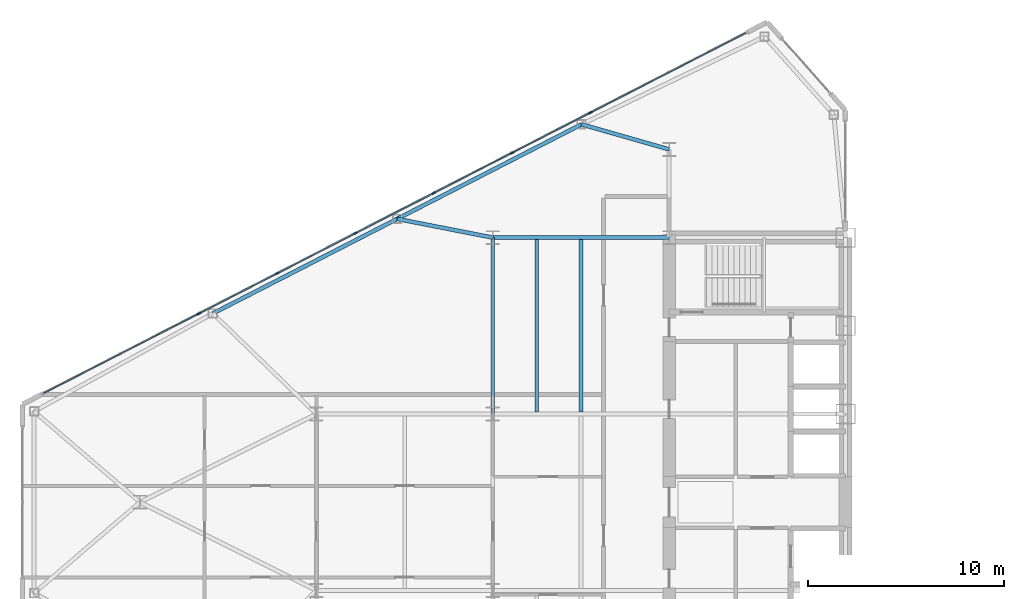
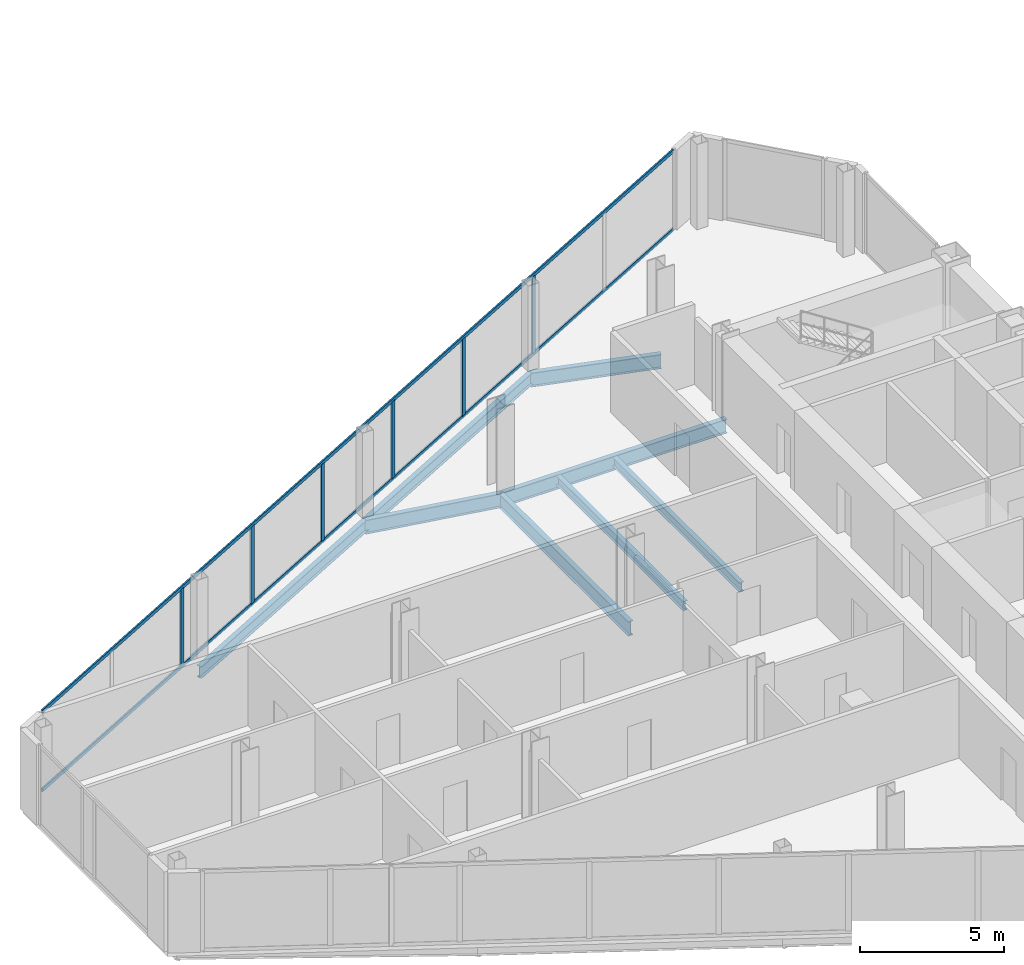
# One storey, part 6 of 23: 8 beams, 8 members, 1 element without a shape of its own.
"""IFC4 building model written with IfcOpenShell, lengths in metres."""

from ifc_helpers import new_model, si_unit, direction, frame, origin, origin_2d, place, context, subcontext, project, spatial, rectangle, i_section, extrude, source, transform, mapped, material, layer, layer_set, material_profile, profile_set, type_object, type_shapes, element, aggregate, save


model = new_model("IFC4")

# Units and contexts
model_context = context("Model", 3, precision=1e-05, world=origin(), true_north=direction((0.0, 1.0)))
body_context = subcontext(model_context, "Body", "Model", "MODEL_VIEW")
ifc_project = project(units=[si_unit("LENGTHUNIT", "METRE"), si_unit("AREAUNIT", "SQUARE_METRE"), si_unit("VOLUMEUNIT", "CUBIC_METRE"), si_unit("PLANEANGLEUNIT", "RADIAN"), si_unit("MASSUNIT", "GRAM", prefix="KILO")], contexts=[model_context])

# Site, building, storey
site_placement = place(None, origin())
site = spatial("IfcSite", under=ifc_project, at=site_placement, CompositionType="ELEMENT")
building_placement = place(site_placement, origin())
building = spatial("IfcBuilding", under=site, at=building_placement, Name="Seokmaru Belvedere", CompositionType="ELEMENT")
storey_placement = place(building_placement, frame((0.0, 0.0, 128.39990234375)))
storey = spatial("IfcBuildingStorey", under=building, at=storey_placement, Name="L34", CompositionType="ELEMENT", Elevation=128.39990234375)

# Beams
ifc_material_1 = material(Name="Steel SM355 (355 MPa)", Category="steel")
ifc_material_profile_1 = material_profile(ifc_material_1, i_section(OverallWidth=0.199951171875, OverallDepth=0.60009765625, WebThickness=0.010986328125, FlangeThickness=0.01708984375, at=origin_2d()), Name="H-600x200x11x17")
ifc_profile_set_1 = profile_set([ifc_material_profile_1], Name="Steel SM355 (355 MPa)")
beam_type_1 = type_object("IfcBeamType", Name="Primary Floor Girder H-600", PredefinedType="BEAM", material=ifc_profile_set_1)
shared_shape_1 = source(origin(), body_context, "Body", "SweptSolid", [
    extrude(i_section(OverallWidth=0.199951171875, OverallDepth=0.60009765625, WebThickness=0.010986328125, FlangeThickness=0.01708984375, at=origin_2d()), origin(), (0.0, 0.0, 1.0), 9.0),
])
for number, where, z_axis, x_axis, name in (
    (1, (-45.5, 4.5, -0.52001953125), (0.0, 1.0, 0.0), (-1.0, 0.0, 0.0), "L34 W Interior Grid Girder 3"),
    (2, (-45.5, 13.5, -0.52001953125), (1.0, 0.0, 0.0), (0.0, 1.0, 0.0), "L34 W Wing Primary Girder 4"),
):
    element("IfcBeam", number, at=place(storey_placement, frame(where, z_axis=z_axis, x_axis=x_axis)), inside=storey, type_object=beam_type_1, Name=name, PredefinedType="BEAM", context=body_context, shape_type="MappedRepresentation", body=[
        mapped(shared_shape_1, transform((0.0, 0.0, 0.0), scale=1.0)),
    ])
ifc_material_profile_2 = material_profile(ifc_material_1, i_section(OverallWidth=0.18505859375, OverallDepth=0.389892578125, WebThickness=0.008056640625, FlangeThickness=0.011962890625, at=origin_2d()), Name="H-390x185x8x12")
ifc_profile_set_2 = profile_set([ifc_material_profile_2], Name="Steel SM355 (355 MPa)")
beam_type_2 = type_object("IfcBeamType", Name="Secondary Floor Joist H-350", PredefinedType="JOIST", material=ifc_profile_set_2)
shared_shape_2 = source(origin(), body_context, "Body", "SweptSolid", [
    extrude(i_section(OverallWidth=0.18505859375, OverallDepth=0.389892578125, WebThickness=0.008056640625, FlangeThickness=0.011962890625, at=origin_2d()), origin(), (0.0, 0.0, 1.0), 8.7900390625),
])
type_shapes(beam_type_2, [shared_shape_2])
for number, where, z_axis, x_axis, name in (
    (3, (-43.25, 4.60498046875, -0.414794921875), (0.0, 1.0, 0.0), (-1.0, 0.0, 0.0), "L34 W Wing Inner Secondary Joist 2"),
    (4, (-41.0, 4.60498046875, -0.414794921875), (0.0, 1.0, 0.0), (-1.0, 0.0, 0.0), "L34 W Secondary Floor Joist 3"),
):
    element("IfcBeam", number, at=place(storey_placement, frame(where, z_axis=z_axis, x_axis=x_axis)), inside=storey, type_object=beam_type_2, Name=name, PredefinedType="JOIST", context=body_context, shape_type="MappedRepresentation", body=[
        mapped(shared_shape_2, transform((0.0, 0.0, 0.0), scale=1.0)),
    ])
ifc_material_profile_3 = material_profile(ifc_material_1, i_section(OverallWidth=0.199951171875, OverallDepth=0.5, WebThickness=0.010009765625, FlangeThickness=0.01611328125, at=origin_2d()), Name="H-500x200x10x16")
ifc_profile_set_3 = profile_set([ifc_material_profile_3], Name="Steel SM355 (355 MPa)")
beam_type_3 = type_object("IfcBeamType", Name="Perimeter Spandrel Beam H-500", PredefinedType="SPANDREL", material=ifc_profile_set_3)
shared_shape_3 = source(origin(), body_context, "Body", "SweptSolid", [
    extrude(i_section(OverallWidth=0.199951171875, OverallDepth=0.5, WebThickness=0.010009765625, FlangeThickness=0.01611328125, at=origin_2d()), origin(), (0.0, 0.0, 1.0), 10.56689453125),
])
type_shapes(beam_type_3, [shared_shape_3])
for number, where, z_axis, x_axis, name in (
    (5, (-40.975830078125, 19.277587890625, -0.469970703125), (-0.889701972758, -0.45654178305, 0.0), (0.45654178305, -0.889701972758, 0.0), "L34 W Faceted Flank Spandrel N-2"),
    (6, (-50.377197265625, 14.453369140625, -0.469970703125), (-0.889692588006, -0.456560071455, 0.0), (0.456560071455, -0.889692588006, 0.0), "L34 W Faceted Flank Spandrel N-3"),
):
    element("IfcBeam", number, at=place(storey_placement, frame(where, z_axis=z_axis, x_axis=x_axis)), inside=storey, type_object=beam_type_3, Name=name, PredefinedType="SPANDREL", context=body_context, shape_type="MappedRepresentation", body=[
        mapped(shared_shape_3, transform((0.0, 0.0, 0.0), scale=1.0)),
    ])
shared_shape_4 = source(origin(), body_context, "Body", "SweptSolid", [
    extrude(i_section(OverallWidth=0.199951171875, OverallDepth=0.60009765625, WebThickness=0.010986328125, FlangeThickness=0.01708984375, at=origin_2d()), origin(), (0.0, 0.0, 1.0), 4.654541015625),
])
beam_1_placement = place(storey_placement, frame((-40.975830078125, 19.277587890625, -0.52001953125), z_axis=(0.961593192625, -0.274478654721, 0.0), x_axis=(0.274478654721, 0.961593192625, 0.0)))
element("IfcBeam", 7, at=beam_1_placement, inside=storey, type_object=beam_type_1, Name="L34 W Flank Radial Floor Girder N-1", PredefinedType="BEAM", context=body_context, shape_type="MappedRepresentation", body=[
    mapped(shared_shape_4, transform((0.0, 0.0, 0.0), scale=1.0)),
])
shared_shape_5 = source(origin(), body_context, "Body", "SweptSolid", [
    extrude(i_section(OverallWidth=0.199951171875, OverallDepth=0.60009765625, WebThickness=0.010986328125, FlangeThickness=0.01708984375, at=origin_2d()), origin(), (0.0, 0.0, 1.0), 4.969482421875),
])
type_shapes(beam_type_1, [shared_shape_1, shared_shape_4, shared_shape_5])
beam_2_placement = place(storey_placement, frame((-50.377197265625, 14.453369140625, -0.52001953125), z_axis=(0.98142544456, -0.19184393858, 0.0), x_axis=(0.19184393858, 0.98142544456, 0.0)))
element("IfcBeam", 8, at=beam_2_placement, inside=storey, type_object=beam_type_1, Name="L34 W Flank Radial Floor Girder N-2", PredefinedType="BEAM", context=body_context, shape_type="MappedRepresentation", body=[
    mapped(shared_shape_5, transform((0.0, 0.0, 0.0), scale=1.0)),
])

# Curtain wall, members
ifc_material_2 = material(Name="Bronze Triple Insulating Glass", Category="glass")
ifc_layer = layer(ifc_material_2, 0.195068359375)
ifc_layer_set = layer_set([ifc_layer], Name="Bronze Triple Insulating Glass")
curtain_wall_type = type_object("IfcCurtainWallType", Name="Sky-Lobby and Mid-Rise Curtain Wall System CW-4", PredefinedType="NOTDEFINED", material=ifc_layer_set)
curtain_wall_placement = place(storey_placement, origin())
curtain_wall = element("IfcCurtainWall", 9, at=curtain_wall_placement, inside=storey, type_object=curtain_wall_type, Name="L34 Curtain Wall WF3", PredefinedType="NOTDEFINED")
ifc_material_3 = material(Name="Anodised Bronze Aluminium", Category="aluminium")
ifc_material_profile_4 = material_profile(ifc_material_3, rectangle(XDim=0.070068359375, YDim=0.195068359375, at=origin_2d()), Name="CW-M-70x195")
ifc_profile_set_4 = profile_set([ifc_material_profile_4], Name="Anodised Bronze Aluminium")
member_type_1 = type_object("IfcMemberType", Name="Bronze Unitised Mullion 70x195", PredefinedType="MULLION", material=ifc_profile_set_4)
shared_shape_6 = source(origin(), body_context, "Body", "SweptSolid", [
    extrude(rectangle(XDim=0.070068359375, YDim=0.195068359375, at=origin_2d()), origin(), (0.0, 0.0, 1.0), 3.25),
])
type_shapes(member_type_1, [shared_shape_6])
member_1_placement = place(storey_placement, frame((-40.5126953125, 19.875, 0.065185546875), z_axis=(0.0, 0.0, 1.0), x_axis=(0.456554528263, -0.889695432562, 0.0)))
member_1 = element("IfcMember", 10, at=member_1_placement, type_object=member_type_1, Name="CW:L34:WF3 Mullion 3", PredefinedType="MULLION", context=body_context, shape_type="MappedRepresentation", body=[
    mapped(shared_shape_6, transform((0.0, 0.0, 0.0), scale=1.0)),
])
member_2_placement = place(storey_placement, frame((-44.5078125, 17.824951171875, 0.065185546875), z_axis=(0.0, 0.0, 1.0), x_axis=(0.456554528263, -0.889695432562, 0.0)))
member_2 = element("IfcMember", 11, at=member_2_placement, type_object=member_type_1, Name="CW:L34:WF3 Mullion 4", PredefinedType="MULLION", context=body_context, shape_type="MappedRepresentation", body=[
    mapped(shared_shape_6, transform((0.0, 0.0, 0.0), scale=1.0)),
])
member_3_placement = place(storey_placement, frame((-48.502685546875, 15.77490234375, 0.065185546875), z_axis=(0.0, 0.0, 1.0), x_axis=(0.456554528263, -0.889695432562, 0.0)))
member_3 = element("IfcMember", 12, at=member_3_placement, type_object=member_type_1, Name="CW:L34:WF3 Mullion 5", PredefinedType="MULLION", context=body_context, shape_type="MappedRepresentation", body=[
    mapped(shared_shape_6, transform((0.0, 0.0, 0.0), scale=1.0)),
])
member_4_placement = place(storey_placement, frame((-52.497314453125, 13.72509765625, 0.065185546875), z_axis=(0.0, 0.0, 1.0), x_axis=(0.456554528263, -0.889695432562, 0.0)))
member_4 = element("IfcMember", 13, at=member_4_placement, type_object=member_type_1, Name="CW:L34:WF3 Mullion 6", PredefinedType="MULLION", context=body_context, shape_type="MappedRepresentation", body=[
    mapped(shared_shape_6, transform((0.0, 0.0, 0.0), scale=1.0)),
])
member_5_placement = place(storey_placement, frame((-56.4921875, 11.675048828125, 0.065185546875), z_axis=(0.0, 0.0, 1.0), x_axis=(0.456554528263, -0.889695432562, 0.0)))
member_5 = element("IfcMember", 14, at=member_5_placement, type_object=member_type_1, Name="CW:L34:WF3 Mullion 7", PredefinedType="MULLION", context=body_context, shape_type="MappedRepresentation", body=[
    mapped(shared_shape_6, transform((0.0, 0.0, 0.0), scale=1.0)),
])
member_6_placement = place(storey_placement, frame((-60.4873046875, 9.625, 0.065185546875), z_axis=(0.0, 0.0, 1.0), x_axis=(0.456554528263, -0.889695432562, 0.0)))
member_6 = element("IfcMember", 15, at=member_6_placement, type_object=member_type_1, Name="CW:L34:WF3 Mullion 8", PredefinedType="MULLION", context=body_context, shape_type="MappedRepresentation", body=[
    mapped(shared_shape_6, transform((0.0, 0.0, 0.0), scale=1.0)),
])
ifc_material_profile_5 = material_profile(ifc_material_3, rectangle(XDim=0.06494140625, YDim=0.14990234375, at=origin_2d()), Name="CW-T-65x150")
ifc_profile_set_5 = profile_set([ifc_material_profile_5], Name="Anodised Bronze Aluminium")
member_type_2 = type_object("IfcMemberType", Name="Bronze Unitised Transom 65x150", PredefinedType="USERDEFINED", material=ifc_profile_set_5)
shared_shape_7 = source(origin(), body_context, "Body", "SweptSolid", [
    extrude(rectangle(XDim=0.06494140625, YDim=0.14990234375, at=origin_2d()), origin(), (0.0, 0.0, 1.0), 40.271240234375),
])
type_shapes(member_type_2, [shared_shape_7])
member_7_placement = place(storey_placement, frame((-32.58544921875, 23.943115234375, 0.03271484375), z_axis=(-0.889693089107, -0.456559094965, 0.0), x_axis=(0.456559094965, -0.889693089107, 0.0)))
member_7 = element("IfcMember", 16, at=member_7_placement, type_object=member_type_2, Name="CW:L34:WF3 Continuous Transom 1", ObjectType="TRANSOM", PredefinedType="USERDEFINED", context=body_context, shape_type="MappedRepresentation", body=[
    mapped(shared_shape_7, transform((0.0, 0.0, 0.0), scale=1.0)),
])
member_8_placement = place(storey_placement, frame((-32.58544921875, 23.943115234375, 3.34765625), z_axis=(-0.889693089107, -0.456559094965, 0.0), x_axis=(0.456559094965, -0.889693089107, 0.0)))
member_8 = element("IfcMember", 17, at=member_8_placement, type_object=member_type_2, Name="CW:L34:WF3 Continuous Transom 2", ObjectType="TRANSOM", PredefinedType="USERDEFINED", context=body_context, shape_type="MappedRepresentation", body=[
    mapped(shared_shape_7, transform((0.0, 0.0, 0.0), scale=1.0)),
])
aggregate(curtain_wall, [member_1, member_2, member_3, member_4, member_5, member_6, member_7, member_8])

save(model, "model.ifc")
